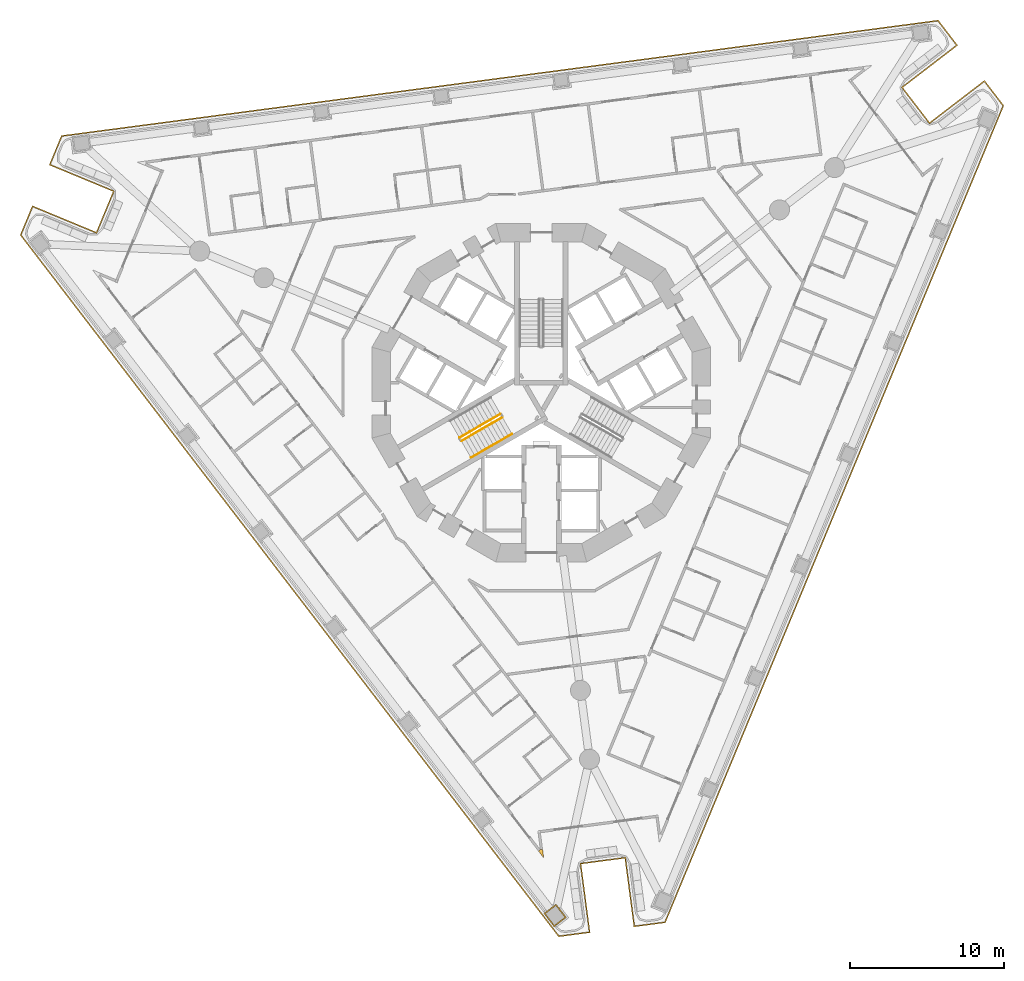
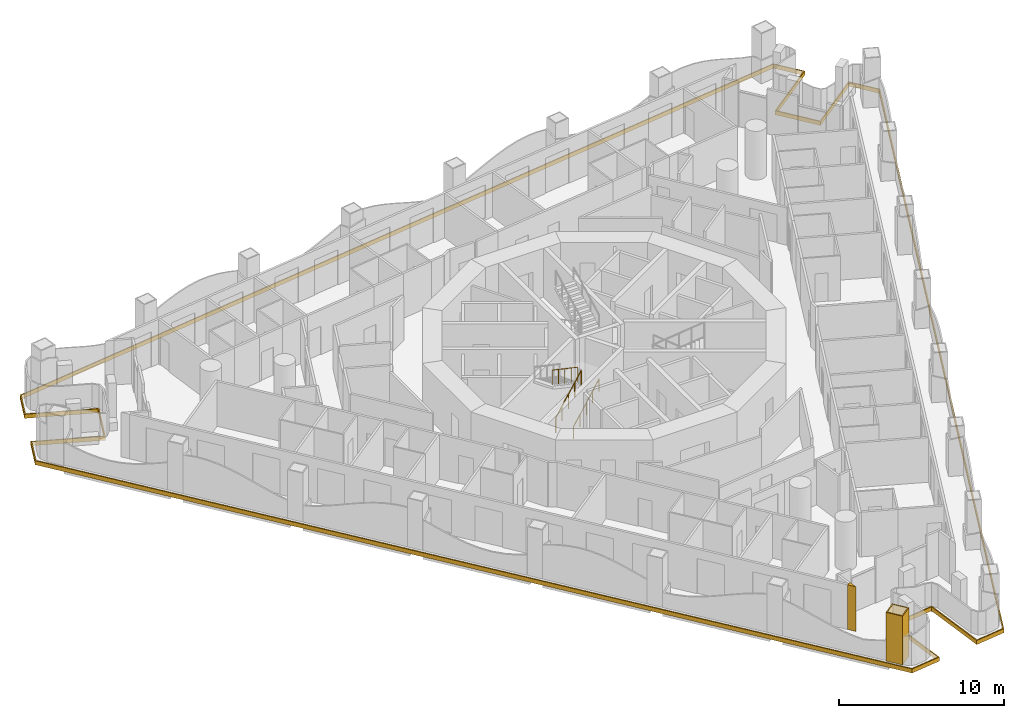
# One storey, part 13 of 19: 4 railings, 3 coverings.
"""IFC4 building model written with IfcOpenShell, lengths in metres."""

import ifcopenshell
import ifcopenshell.guid

model = None  # the IFC model being written
_history = None  # IfcOwnerHistory: only IFC2X3 demands one
_inside = {}  # id of a spatial element -> (the spatial element, [elements in it])
_under = {}  # id of a project, library or spatial element -> (it, [spatial elements below it])
_declared = {}  # id of a project -> (the project, [libraries it declares])
_typed = {}  # id of a type object -> (the type object, [elements of that type])
_made_of = {}  # id of a material, layer set ... -> (it, [elements and type objects made of it])


def new_model(schema):
    """Start an empty IFC model of exactly this schema.

    Asked for "IFC4X3", IfcOpenShell would pick the latest addendum, in which some entities
    have other attributes; the version numbers below select the first issue.
    IFC2X3 requires an IfcOwnerHistory on every rooted entity: one is made here for all.
    """
    global model, _history
    if schema == "IFC4X3":
        model = ifcopenshell.file(schema_version=(4, 3, 0, 0))
    else:
        model = ifcopenshell.file(schema=schema)
    _inside.clear()
    _under.clear()
    _declared.clear()
    _typed.clear()
    _made_of.clear()
    _history = None
    if model.schema == "IFC2X3":
        org = make("IfcOrganization", Name="unknown")
        user = make(
            "IfcPersonAndOrganization",
            ThePerson=make("IfcPerson", FamilyName="unknown"),
            TheOrganization=org,
        )
        app = make(
            "IfcApplication",
            ApplicationDeveloper=org,
            Version="unknown",
            ApplicationFullName="unknown",
            ApplicationIdentifier="unknown",
        )
        _history = make(
            "IfcOwnerHistory",
            OwningUser=user,
            OwningApplication=app,
            ChangeAction="ADDED",
            CreationDate=0,
        )
    return model


def make(cls, **values):
    """One entity of the class cls with the attributes given. An attribute that is None is left unset."""
    return model.create_entity(
        cls, **{name: value for name, value in values.items() if value is not None}
    )


def rooted(cls, **values):
    """An entity with a GlobalId (a new one), such as an element, a storey or a relation."""
    return make(cls, GlobalId=ifcopenshell.guid.new(), OwnerHistory=_history, **values)


def si_unit(unit_type, name, prefix=None):
    """IfcSIUnit, for example si_unit("LENGTHUNIT", "METRE", prefix="MILLI")."""
    return make("IfcSIUnit", UnitType=unit_type, Prefix=prefix, Name=name)


def assignment(units):
    """IfcUnitAssignment: the units of a project."""
    return None if units is None else make("IfcUnitAssignment", Units=units)


def point(xyz):
    """IfcCartesianPoint."""
    return None if xyz is None else make("IfcCartesianPoint", Coordinates=xyz)


def direction(xyz):
    """IfcDirection."""
    return None if xyz is None else make("IfcDirection", DirectionRatios=xyz)


def frame(location, z_axis=None, x_axis=None):
    """IfcAxis2Placement3D, a coordinate frame: its origin and axes. An axis left out is left unset."""
    return make(
        "IfcAxis2Placement3D",
        Location=point(location),
        Axis=direction(z_axis),
        RefDirection=direction(x_axis),
    )


def frame_2d(location, x_axis=None):
    """IfcAxis2Placement2D, a coordinate frame in the plane: its origin and x axis."""
    return make(
        "IfcAxis2Placement2D", Location=point(location), RefDirection=direction(x_axis)
    )


def origin():
    """The frame at (0, 0, 0) with its axes left unset."""
    return frame((0.0, 0.0, 0.0))


def origin_2d():
    """The frame at (0, 0) in the plane with its x axis left unset."""
    return frame_2d((0.0, 0.0))


def place(relative_to, where):
    """IfcLocalPlacement: puts the frame where relative to a parent placement (None: the world)."""
    return make(
        "IfcLocalPlacement", PlacementRelTo=relative_to, RelativePlacement=where
    )


def context(
    kind, dimensions, precision=None, world=None, true_north=None, identifier=None
):
    """IfcGeometricRepresentationContext, for example the 3D "Model" context."""
    return make(
        "IfcGeometricRepresentationContext",
        ContextIdentifier=identifier,
        ContextType=kind,
        CoordinateSpaceDimension=dimensions,
        Precision=precision,
        WorldCoordinateSystem=world,
        TrueNorth=true_north,
    )


def subcontext(parent, identifier, kind, view, scale=None):
    """IfcGeometricRepresentationSubContext, for example "Body" below "Model"."""
    return make(
        "IfcGeometricRepresentationSubContext",
        ContextIdentifier=identifier,
        ContextType=kind,
        ParentContext=parent,
        TargetScale=scale,
        TargetView=view,
    )


def project(units=None, contexts=None):
    """IfcProject with its units and contexts."""
    return rooted(
        "IfcProject",
        Name="project",
        RepresentationContexts=contexts,
        UnitsInContext=assignment(units),
    )


def spatial(cls, under=None, at=None, **own):
    """A site, building, storey or space (cls), placed at a placement, below another one or the project."""
    s = rooted(cls, ObjectPlacement=at, **own)
    if under is not None:
        _under.setdefault(under.id(), (under, []))[1].append(s)
    return s


def polyline(points):
    """IfcPolyline through the points."""
    return make("IfcPolyline", Points=[point(p) for p in points])


def profile(cls, at=None, kind="AREA", **sizes):
    """A parametric profile (cls). Its sizes go by their IFC names, for example OverallWidth=200.0."""
    return make(cls, ProfileType=kind, Position=at, **sizes)


def circle(**sizes):
    """IfcCircleProfileDef."""
    return profile("IfcCircleProfileDef", **sizes)


def outline(outer, holes=None, kind="AREA"):
    """IfcArbitraryClosedProfileDef: a profile drawn as a closed curve; with holes, ...WithVoids."""
    if holes is None:
        return make("IfcArbitraryClosedProfileDef", ProfileType=kind, OuterCurve=outer)
    return make(
        "IfcArbitraryProfileDefWithVoids",
        ProfileType=kind,
        OuterCurve=outer,
        InnerCurves=holes,
    )


def extrude(swept, where, along, depth):
    """IfcExtrudedAreaSolid: the profile swept, set in the frame where, extruded along a direction by depth."""
    return make(
        "IfcExtrudedAreaSolid",
        SweptArea=swept,
        Position=where,
        ExtrudedDirection=direction(along),
        Depth=depth,
    )


def shape(context_of_items, identifier, shape_type, items):
    """IfcShapeRepresentation: the items that make up one representation, for example the "Body"."""
    return make(
        "IfcShapeRepresentation",
        ContextOfItems=context_of_items,
        RepresentationIdentifier=identifier,
        RepresentationType=shape_type,
        Items=items,
    )


def material(Name=None, Category=None):
    """IfcMaterial."""
    return make("IfcMaterial", Name=Name, Category=Category)


def layer(
    of_material, thickness, ventilated=None, Name=None, Category=None, Priority=None
):
    """IfcMaterialLayer: one layer of a wall or slab, of a material (None: an air gap)."""
    return make(
        "IfcMaterialLayer",
        Material=of_material,
        LayerThickness=thickness,
        IsVentilated=ventilated,
        Name=Name,
        Category=Category,
        Priority=Priority,
    )


def layer_set(layers, Name=None):
    """IfcMaterialLayerSet."""
    return make("IfcMaterialLayerSet", MaterialLayers=layers, LayerSetName=Name)


def made_of(thing, what):
    """Note that an element or type object is made of a material, layer set ...; save() writes the relation."""
    if what is not None:
        _made_of.setdefault(what.id(), (what, []))[1].append(thing)
    return thing


def type_object(cls, material=None, **own):
    """A type object (cls), such as IfcWallType, which elements share."""
    return made_of(rooted(cls, **own), material)


def element(
    cls,
    number,
    at=None,
    inside=None,
    cuts=None,
    type_object=None,
    material=None,
    context=None,
    identifier="Body",
    shape_type=None,
    held_by="IfcProductDefinitionShape",
    body=None,
    shapes=None,
    **own,
):
    """One element of the class cls, such as IfcWall. Its Tag is "e" and its number.

    at: its placement. inside: the storey or other place that contains it. cuts: it is an
    opening in that element (IfcRelVoidsElement). A single representation is given by context,
    identifier, shape_type and body (its items); several are given by shapes. held_by: the class
    of the entity that holds the representations. save() writes the other relations.
    """
    e = rooted(cls, Tag="e%d" % number, ObjectPlacement=at, **own)
    if body is not None:
        shapes = [shape(context, identifier, shape_type, body)]
    if shapes is not None:
        e.Representation = make(held_by, Representations=shapes)
    if inside is not None:
        _inside.setdefault(inside.id(), (inside, []))[1].append(e)
    if cuts is not None:
        rooted(
            "IfcRelVoidsElement", RelatingBuildingElement=cuts, RelatedOpeningElement=e
        )
    if type_object is not None:
        _typed.setdefault(type_object.id(), (type_object, []))[1].append(e)
    return made_of(e, material)


def aggregate(whole, parts):
    """IfcRelAggregates: a whole, such as a stair, and the parts it consists of."""
    return rooted("IfcRelAggregates", RelatingObject=whole, RelatedObjects=parts)


def save(model, path):
    """Write the relations noted so far, then the file.

    IfcRelAggregates (storeys below a building ...), IfcRelContainedInSpatialStructure (elements
    in a storey), IfcRelDefinesByType, IfcRelAssociatesMaterial and IfcRelDeclares: one each for
    every whole, place, type object, material and project.
    """
    for whole, parts in _under.values():
        aggregate(whole, parts)
    for where, things in _inside.values():
        rooted(
            "IfcRelContainedInSpatialStructure",
            RelatedElements=things,
            RelatingStructure=where,
        )
    for kind, things in _typed.values():
        rooted("IfcRelDefinesByType", RelatedObjects=things, RelatingType=kind)
    for what, things in _made_of.values():
        rooted("IfcRelAssociatesMaterial", RelatedObjects=things, RelatingMaterial=what)
    for by, libraries in _declared.values():
        rooted("IfcRelDeclares", RelatingContext=by, RelatedDefinitions=libraries)
    model.write(path)


model = new_model("IFC4")

# Units and contexts
model_context = context("Model", 3, precision=1e-05, world=origin(), true_north=direction((0.0, 1.0)))
body_context = subcontext(model_context, "Body", "Model", "MODEL_VIEW")
ifc_project = project(units=[si_unit("LENGTHUNIT", "METRE"), si_unit("AREAUNIT", "SQUARE_METRE"), si_unit("VOLUMEUNIT", "CUBIC_METRE"), si_unit("PLANEANGLEUNIT", "RADIAN"), si_unit("MASSUNIT", "GRAM", prefix="KILO")], contexts=[model_context])

# Site, building, storey
site_placement = place(None, origin())
site = spatial("IfcSite", under=ifc_project, at=site_placement, CompositionType="ELEMENT")
building_placement = place(site_placement, origin())
building = spatial("IfcBuilding", under=site, at=building_placement, Name="Trine Commons Tower", CompositionType="ELEMENT")
storey_placement = place(building_placement, frame((0.0, 0.0, 68.39990234375)))
storey = spatial("IfcBuildingStorey", under=building, at=storey_placement, Name="L16", CompositionType="ELEMENT", Elevation=68.39990234375)

# Coverings
ifc_material_1 = material(Name="Aluminium-framed insulated wall panel", Category="aluminium")
ifc_layer_1 = layer(ifc_material_1, 0.14990234375)
ifc_layer_set_1 = layer_set([ifc_layer_1], Name="Aluminium-framed insulated wall panel")
covering_type_1 = type_object("IfcCoveringType", Name="Glazing corner post, aluminium", PredefinedType="CLADDING", material=ifc_layer_set_1)
covering_1_placement = place(storey_placement, origin())
element("IfcCovering", 1, at=covering_1_placement, inside=storey, type_object=covering_type_1, Name="Glazing corner post 2-12", PredefinedType="CLADDING", context=body_context, shape_type="SweptSolid", body=[
    extrude(outline(polyline([(79.818603515625, 32.697021484375), (80.159423828125, 32.2529296875), (80.086181640625, 32.80810546875), (79.9375, 32.788330078125), (79.818603515625, 32.697021484375)])), origin(), (0.0, 0.0, 1.0), 3.300048828125),
])
ifc_material_2 = material(Name="Limestone, honed", Category="masonry")
ifc_layer_2 = layer(ifc_material_2, 0.074951171875)
ifc_layer_set_2 = layer_set([ifc_layer_2], Name="Limestone, honed")
covering_type_2 = type_object("IfcCoveringType", Name="Limestone column cladding 75", PredefinedType="CLADDING", material=ifc_layer_set_2)
covering_2_placement = place(storey_placement, origin())
element("IfcCovering", 2, at=covering_2_placement, inside=storey, type_object=covering_type_2, Name="Limestone pier cladding 2-01", PredefinedType="CLADDING", context=body_context, shape_type="SweptSolid", body=[
    extrude(outline(polyline([(80.96142578125, 29.2529296875), (80.16796875, 28.644287109375), (80.837646484375, 27.771484375), (81.631103515625, 28.38037109375), (80.96142578125, 29.2529296875)]), holes=[polyline([(80.947509765625, 29.14794921875), (80.273193359375, 28.63037109375), (80.8515625, 27.876708984375), (81.52587890625, 28.394287109375), (80.947509765625, 29.14794921875)])]), origin(), (0.0, 0.0, 1.0), 3.60009765625),
])
ifc_layer_3 = layer(ifc_material_2, 0.074951171875)
ifc_layer_set_3 = layer_set([ifc_layer_3], Name="Limestone, honed")
covering_type_3 = type_object("IfcCoveringType", Name="Limestone spandrel panel 75", PredefinedType="CLADDING", material=ifc_layer_set_3)
covering_3_placement = place(storey_placement, frame((0.0, 0.0, -0.2998046875)))
element("IfcCovering", 3, at=covering_3_placement, inside=storey, type_object=covering_type_3, Name="Limestone spandrel panel 2-01", PredefinedType="CLADDING", context=body_context, shape_type="SweptSolid", body=[
    extrude(outline(polyline([(85.423583984375, 32.220458984375), (86.010986328125, 27.7587890625), (88.07568359375, 28.03076171875), (110.083740234375, 81.1630859375), (108.816162109375, 82.815185546875), (105.24609375, 80.07568359375), (103.510986328125, 82.3369140625), (107.081298828125, 85.076416015625), (105.8134765625, 86.728515625), (48.79541015625, 79.2216796875), (47.998291015625, 77.2978515625), (52.156005859375, 75.57568359375), (51.065185546875, 72.94287109375), (46.90771484375, 74.664794921875), (46.11083984375, 72.740966796875), (81.120849609375, 27.114990234375), (83.185302734375, 27.386962890625), (82.59814453125, 31.848388671875), (85.423583984375, 32.220458984375)]), holes=[polyline([(108.80224609375, 82.710205078125), (109.998046875, 81.15185546875), (88.02294921875, 28.099365234375), (86.07568359375, 27.843017578125), (85.48828125, 32.304443359375), (82.513916015625, 31.912841796875), (83.101318359375, 27.451416015625), (81.154052734375, 27.195068359375), (46.19677734375, 72.752197265625), (46.948486328125, 74.56689453125), (51.105712890625, 72.8447265625), (52.25390625, 75.616455078125), (48.096435546875, 77.33837890625), (48.847900390625, 79.153076171875), (105.780517578125, 86.6484375), (106.97607421875, 85.090087890625), (103.406005859375, 82.3505859375), (105.232177734375, 79.970703125), (108.80224609375, 82.710205078125)])]), origin(), (0.0, 0.0, 1.0), 0.2998046875),
])

# Railings
ifc_material_3 = material(Name="Stainless steel balustrade", Category="steel")
railing_type_1 = type_object("IfcRailingType", Name="Stair guard, steel balustrade 1100", PredefinedType="GUARDRAIL", material=ifc_material_3)
railing_1_placement = place(storey_placement, frame((74.80517578125, 59.3564453125, 0.150146484375)))
element("IfcRailing", 4, at=railing_1_placement, inside=storey, type_object=railing_type_1, Name="L16 ST2A stair guard 1", PredefinedType="GUARDRAIL", context=body_context, shape_type="SweptSolid", body=[
    extrude(circle(Radius=0.02392578125, at=origin_2d()), frame((0.0, 0.0, 1.076171875), z_axis=(0.76340495495, 0.440743040072, 0.472184759798), x_axis=(-0.499992328818, 0.866029832698, 0.0)), (0.0, 0.0, 1.0), 3.494140625),
    extrude(circle(Radius=0.02099609375, at=origin_2d()), origin(), (0.0, 0.0, 1.0), 1.052001953125),
    extrude(circle(Radius=0.02099609375, at=origin_2d()), frame((0.6669921875, 0.385009765625, 0.41259765625)), (0.0, 0.0, 1.0), 1.052001953125),
    extrude(circle(Radius=0.02099609375, at=origin_2d()), frame((1.333740234375, 0.77001953125, 0.824951171875)), (0.0, 0.0, 1.0), 1.052001953125),
    extrude(circle(Radius=0.02099609375, at=origin_2d()), frame((2.00048828125, 1.155029296875, 1.2373046875)), (0.0, 0.0, 1.0), 1.052001953125),
    extrude(circle(Radius=0.02099609375, at=origin_2d()), frame((2.66748046875, 1.5400390625, 1.64990234375)), (0.0, 0.0, 1.0), 1.052001953125),
])
railing_2_placement = place(storey_placement, frame((77.34765625, 61.113037109375, 1.9501953125)))
element("IfcRailing", 5, at=railing_2_placement, inside=storey, type_object=railing_type_1, Name="L16 ST2A stair guard 3", PredefinedType="GUARDRAIL", context=body_context, shape_type="SweptSolid", body=[
    extrude(circle(Radius=0.02392578125, at=origin_2d()), frame((0.0, 0.0, 1.076171875), z_axis=(-0.76340495495, -0.440743040072, 0.472184759798), x_axis=(0.499992328818, -0.866029832698, 0.0)), (0.0, 0.0, 1.0), 3.494140625),
    extrude(circle(Radius=0.02099609375, at=origin_2d()), origin(), (0.0, 0.0, 1.0), 1.052001953125),
    extrude(circle(Radius=0.02099609375, at=origin_2d()), frame((-0.6669921875, -0.385009765625, 0.41259765625)), (0.0, 0.0, 1.0), 1.052001953125),
    extrude(circle(Radius=0.02099609375, at=origin_2d()), frame((-1.333740234375, -0.77001953125, 0.824951171875)), (0.0, 0.0, 1.0), 1.052001953125),
    extrude(circle(Radius=0.02099609375, at=origin_2d()), frame((-2.00048828125, -1.155029296875, 1.2373046875)), (0.0, 0.0, 1.0), 1.052001953125),
    extrude(circle(Radius=0.02099609375, at=origin_2d()), frame((-2.66748046875, -1.5400390625, 1.64990234375)), (0.0, 0.0, 1.0), 1.052001953125),
])
ifc_material_4 = material(Name="Stainless steel handrail", Category="steel")
railing_type_2 = type_object("IfcRailingType", Name="Stair handrail, steel 900", PredefinedType="HANDRAIL", material=ifc_material_4)
for number, where, name in (
    (6, (75.43017578125, 58.27392578125, 0.150146484375), "L16 ST2A stair handrail 1"),
    (7, (76.763916015625, 59.0439453125, 0.97509765625), "L16 ST2A stair handrail 2"),
):
    element("IfcRailing", number, at=place(storey_placement, frame(where)), inside=storey, type_object=railing_type_2, Name=name, PredefinedType="HANDRAIL", context=body_context, shape_type="SweptSolid", body=[
        extrude(circle(Radius=0.02099609375, at=origin_2d()), frame((0.0, 0.0, 0.87890625), z_axis=(0.76340495495, 0.440743040072, 0.472184759798), x_axis=(-0.499992328818, 0.866029832698, 0.0)), (0.0, 0.0, 1.0), 1.7470703125),
        extrude(circle(Radius=0.01513671875, at=origin_2d()), origin(), (0.0, 0.0, 1.0), 0.85791015625),
        extrude(circle(Radius=0.01513671875, at=origin_2d()), frame((0.6669921875, 0.385009765625, 0.41259765625)), (0.0, 0.0, 1.0), 0.85791015625),
        extrude(circle(Radius=0.01513671875, at=origin_2d()), frame((1.333740234375, 0.77001953125, 0.824951171875)), (0.0, 0.0, 1.0), 0.85791015625),
    ])

save(model, "model.ifc")
